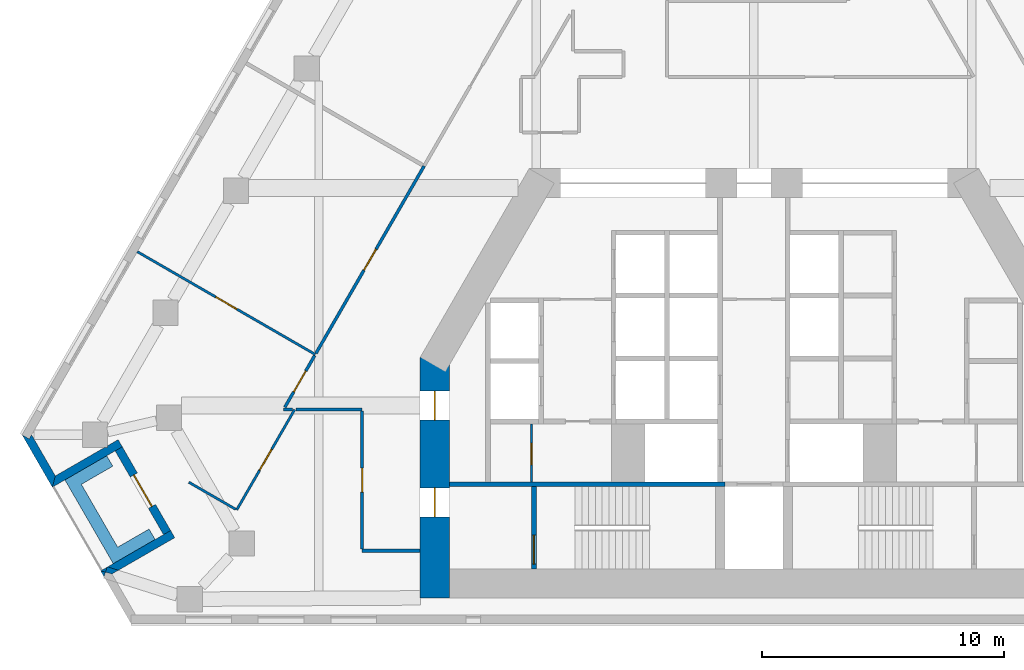
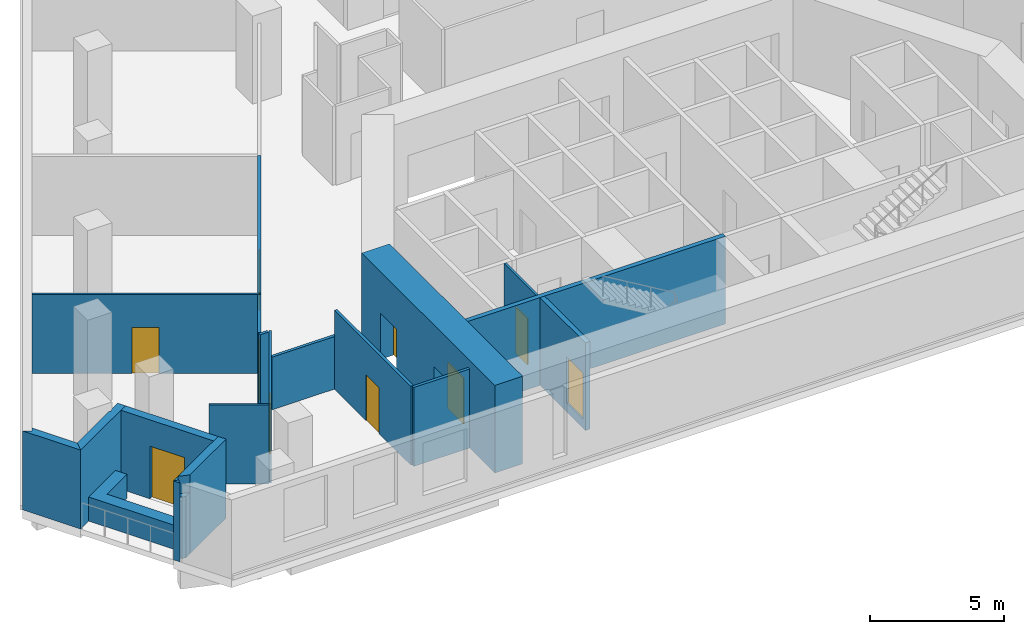
# One storey, part 3 of 10: 21 walls, 10 doors, 10 openings.
"""IFC4 building model written with IfcOpenShell, lengths in metres."""

import ifcopenshell
import ifcopenshell.guid

model = None  # the IFC model being written
_history = None  # IfcOwnerHistory: only IFC2X3 demands one
_inside = {}  # id of a spatial element -> (the spatial element, [elements in it])
_under = {}  # id of a project, library or spatial element -> (it, [spatial elements below it])
_declared = {}  # id of a project -> (the project, [libraries it declares])
_typed = {}  # id of a type object -> (the type object, [elements of that type])
_made_of = {}  # id of a material, layer set ... -> (it, [elements and type objects made of it])


def new_model(schema):
    """Start an empty IFC model of exactly this schema.

    Asked for "IFC4X3", IfcOpenShell would pick the latest addendum, in which some entities
    have other attributes; the version numbers below select the first issue.
    IFC2X3 requires an IfcOwnerHistory on every rooted entity: one is made here for all.
    """
    global model, _history
    if schema == "IFC4X3":
        model = ifcopenshell.file(schema_version=(4, 3, 0, 0))
    else:
        model = ifcopenshell.file(schema=schema)
    _inside.clear()
    _under.clear()
    _declared.clear()
    _typed.clear()
    _made_of.clear()
    _history = None
    if model.schema == "IFC2X3":
        org = make("IfcOrganization", Name="unknown")
        user = make(
            "IfcPersonAndOrganization",
            ThePerson=make("IfcPerson", FamilyName="unknown"),
            TheOrganization=org,
        )
        app = make(
            "IfcApplication",
            ApplicationDeveloper=org,
            Version="unknown",
            ApplicationFullName="unknown",
            ApplicationIdentifier="unknown",
        )
        _history = make(
            "IfcOwnerHistory",
            OwningUser=user,
            OwningApplication=app,
            ChangeAction="ADDED",
            CreationDate=0,
        )
    return model


def make(cls, **values):
    """One entity of the class cls with the attributes given. An attribute that is None is left unset."""
    return model.create_entity(
        cls, **{name: value for name, value in values.items() if value is not None}
    )


def rooted(cls, **values):
    """An entity with a GlobalId (a new one), such as an element, a storey or a relation."""
    return make(cls, GlobalId=ifcopenshell.guid.new(), OwnerHistory=_history, **values)


def si_unit(unit_type, name, prefix=None):
    """IfcSIUnit, for example si_unit("LENGTHUNIT", "METRE", prefix="MILLI")."""
    return make("IfcSIUnit", UnitType=unit_type, Prefix=prefix, Name=name)


def assignment(units):
    """IfcUnitAssignment: the units of a project."""
    return None if units is None else make("IfcUnitAssignment", Units=units)


def point(xyz):
    """IfcCartesianPoint."""
    return None if xyz is None else make("IfcCartesianPoint", Coordinates=xyz)


def direction(xyz):
    """IfcDirection."""
    return None if xyz is None else make("IfcDirection", DirectionRatios=xyz)


def frame(location, z_axis=None, x_axis=None):
    """IfcAxis2Placement3D, a coordinate frame: its origin and axes. An axis left out is left unset."""
    return make(
        "IfcAxis2Placement3D",
        Location=point(location),
        Axis=direction(z_axis),
        RefDirection=direction(x_axis),
    )


def frame_2d(location, x_axis=None):
    """IfcAxis2Placement2D, a coordinate frame in the plane: its origin and x axis."""
    return make(
        "IfcAxis2Placement2D", Location=point(location), RefDirection=direction(x_axis)
    )


def origin():
    """The frame at (0, 0, 0) with its axes left unset."""
    return frame((0.0, 0.0, 0.0))


def place(relative_to, where):
    """IfcLocalPlacement: puts the frame where relative to a parent placement (None: the world)."""
    return make(
        "IfcLocalPlacement", PlacementRelTo=relative_to, RelativePlacement=where
    )


def context(
    kind, dimensions, precision=None, world=None, true_north=None, identifier=None
):
    """IfcGeometricRepresentationContext, for example the 3D "Model" context."""
    return make(
        "IfcGeometricRepresentationContext",
        ContextIdentifier=identifier,
        ContextType=kind,
        CoordinateSpaceDimension=dimensions,
        Precision=precision,
        WorldCoordinateSystem=world,
        TrueNorth=true_north,
    )


def subcontext(parent, identifier, kind, view, scale=None):
    """IfcGeometricRepresentationSubContext, for example "Body" below "Model"."""
    return make(
        "IfcGeometricRepresentationSubContext",
        ContextIdentifier=identifier,
        ContextType=kind,
        ParentContext=parent,
        TargetScale=scale,
        TargetView=view,
    )


def project(units=None, contexts=None):
    """IfcProject with its units and contexts."""
    return rooted(
        "IfcProject",
        Name="project",
        RepresentationContexts=contexts,
        UnitsInContext=assignment(units),
    )


def spatial(cls, under=None, at=None, **own):
    """A site, building, storey or space (cls), placed at a placement, below another one or the project."""
    s = rooted(cls, ObjectPlacement=at, **own)
    if under is not None:
        _under.setdefault(under.id(), (under, []))[1].append(s)
    return s


def polyline(points):
    """IfcPolyline through the points."""
    return make("IfcPolyline", Points=[point(p) for p in points])


def profile(cls, at=None, kind="AREA", **sizes):
    """A parametric profile (cls). Its sizes go by their IFC names, for example OverallWidth=200.0."""
    return make(cls, ProfileType=kind, Position=at, **sizes)


def rectangle(**sizes):
    """IfcRectangleProfileDef."""
    return profile("IfcRectangleProfileDef", **sizes)


def outline(outer, holes=None, kind="AREA"):
    """IfcArbitraryClosedProfileDef: a profile drawn as a closed curve; with holes, ...WithVoids."""
    if holes is None:
        return make("IfcArbitraryClosedProfileDef", ProfileType=kind, OuterCurve=outer)
    return make(
        "IfcArbitraryProfileDefWithVoids",
        ProfileType=kind,
        OuterCurve=outer,
        InnerCurves=holes,
    )


def extrude(swept, where, along, depth):
    """IfcExtrudedAreaSolid: the profile swept, set in the frame where, extruded along a direction by depth."""
    return make(
        "IfcExtrudedAreaSolid",
        SweptArea=swept,
        Position=where,
        ExtrudedDirection=direction(along),
        Depth=depth,
    )


def shape(context_of_items, identifier, shape_type, items):
    """IfcShapeRepresentation: the items that make up one representation, for example the "Body"."""
    return make(
        "IfcShapeRepresentation",
        ContextOfItems=context_of_items,
        RepresentationIdentifier=identifier,
        RepresentationType=shape_type,
        Items=items,
    )


def material(Name=None, Category=None):
    """IfcMaterial."""
    return make("IfcMaterial", Name=Name, Category=Category)


def layer(
    of_material, thickness, ventilated=None, Name=None, Category=None, Priority=None
):
    """IfcMaterialLayer: one layer of a wall or slab, of a material (None: an air gap)."""
    return make(
        "IfcMaterialLayer",
        Material=of_material,
        LayerThickness=thickness,
        IsVentilated=ventilated,
        Name=Name,
        Category=Category,
        Priority=Priority,
    )


def layer_set(layers, Name=None):
    """IfcMaterialLayerSet."""
    return make("IfcMaterialLayerSet", MaterialLayers=layers, LayerSetName=Name)


def made_of(thing, what):
    """Note that an element or type object is made of a material, layer set ...; save() writes the relation."""
    if what is not None:
        _made_of.setdefault(what.id(), (what, []))[1].append(thing)
    return thing


def type_object(cls, material=None, **own):
    """A type object (cls), such as IfcWallType, which elements share."""
    return made_of(rooted(cls, **own), material)


def element(
    cls,
    number,
    at=None,
    inside=None,
    cuts=None,
    type_object=None,
    material=None,
    context=None,
    identifier="Body",
    shape_type=None,
    held_by="IfcProductDefinitionShape",
    body=None,
    shapes=None,
    **own,
):
    """One element of the class cls, such as IfcWall. Its Tag is "e" and its number.

    at: its placement. inside: the storey or other place that contains it. cuts: it is an
    opening in that element (IfcRelVoidsElement). A single representation is given by context,
    identifier, shape_type and body (its items); several are given by shapes. held_by: the class
    of the entity that holds the representations. save() writes the other relations.
    """
    e = rooted(cls, Tag="e%d" % number, ObjectPlacement=at, **own)
    if body is not None:
        shapes = [shape(context, identifier, shape_type, body)]
    if shapes is not None:
        e.Representation = make(held_by, Representations=shapes)
    if inside is not None:
        _inside.setdefault(inside.id(), (inside, []))[1].append(e)
    if cuts is not None:
        rooted(
            "IfcRelVoidsElement", RelatingBuildingElement=cuts, RelatedOpeningElement=e
        )
    if type_object is not None:
        _typed.setdefault(type_object.id(), (type_object, []))[1].append(e)
    return made_of(e, material)


def fill(opening, filler):
    """IfcRelFillsElement: the door or window that sits in an opening."""
    return rooted(
        "IfcRelFillsElement",
        RelatingOpeningElement=opening,
        RelatedBuildingElement=filler,
    )


def aggregate(whole, parts):
    """IfcRelAggregates: a whole, such as a stair, and the parts it consists of."""
    return rooted("IfcRelAggregates", RelatingObject=whole, RelatedObjects=parts)


def save(model, path):
    """Write the relations noted so far, then the file.

    IfcRelAggregates (storeys below a building ...), IfcRelContainedInSpatialStructure (elements
    in a storey), IfcRelDefinesByType, IfcRelAssociatesMaterial and IfcRelDeclares: one each for
    every whole, place, type object, material and project.
    """
    for whole, parts in _under.values():
        aggregate(whole, parts)
    for where, things in _inside.values():
        rooted(
            "IfcRelContainedInSpatialStructure",
            RelatedElements=things,
            RelatingStructure=where,
        )
    for kind, things in _typed.values():
        rooted("IfcRelDefinesByType", RelatedObjects=things, RelatingType=kind)
    for what, things in _made_of.values():
        rooted("IfcRelAssociatesMaterial", RelatedObjects=things, RelatingMaterial=what)
    for by, libraries in _declared.values():
        rooted("IfcRelDeclares", RelatingContext=by, RelatedDefinitions=libraries)
    model.write(path)


model = new_model("IFC4")

# Units and contexts
model_context = context("Model", 3, precision=1e-05, world=origin(), true_north=direction((0.0, 1.0)))
body_context = subcontext(model_context, "Body", "Model", "MODEL_VIEW")
ifc_project = project(units=[si_unit("LENGTHUNIT", "METRE"), si_unit("AREAUNIT", "SQUARE_METRE"), si_unit("VOLUMEUNIT", "CUBIC_METRE"), si_unit("PLANEANGLEUNIT", "RADIAN"), si_unit("MASSUNIT", "GRAM", prefix="KILO")], contexts=[model_context])

# Site, building, storey
site_placement = place(None, origin())
site = spatial("IfcSite", under=ifc_project, at=site_placement, CompositionType="ELEMENT")
building_placement = place(site_placement, origin())
building = spatial("IfcBuilding", under=site, at=building_placement, Name="Fogline Exchange Tower", CompositionType="ELEMENT")
storey_placement = place(building_placement, frame((0.0, 0.0, 112.10009765625)))
storey = spatial("IfcBuildingStorey", under=building, at=storey_placement, Name="L24", CompositionType="ELEMENT", Elevation=112.10009765625)

# Wall, opening, door
ifc_material_1 = material(Name="Blockwork partition", Category="masonry")
ifc_layer_1 = layer(ifc_material_1, 0.10009765625)
ifc_layer_set_1 = layer_set([ifc_layer_1], Name="CW10")
wall_type_1 = type_object("IfcWallType", Name="CW10", PredefinedType="PARTITIONING", material=ifc_layer_set_1)
wall_1_placement = place(storey_placement, frame((-9.199951171875, 5.85009765625, 0.0), z_axis=(0.0, 0.0, 1.0), x_axis=(0.0, 1.0, 0.0)))
wall_1 = element("IfcWall", 1, at=wall_1_placement, inside=storey, type_object=wall_type_1, Name="WC partition", PredefinedType="PARTITIONING", context=body_context, shape_type="SweptSolid", body=[
    extrude(rectangle(XDim=2.39990234375, YDim=0.10009765625, at=frame_2d((1.199951171875, 0.0))), origin(), (0.0, 0.0, 1.0), 3.599853515625),
])
opening_1_placement = place(wall_1_placement, frame((0.699951171875, 0.0, 0.0)))
opening_1 = element("IfcOpeningElement", 2, at=opening_1_placement, cuts=wall_1, Name="Opening T07-C009", PredefinedType="OPENING", context=body_context, shape_type="SweptSolid", body=[
    extrude(rectangle(XDim=0.89990234375, YDim=2.10009765625, at=frame_2d((0.449951171875, 1.050048828125))), frame((0.0, 0.06005859375, 0.0), z_axis=(0.0, -1.0, 0.0), x_axis=(1.0, 0.0, 0.0)), (0.0, 0.0, 1.0), 0.1201171875),
])
ifc_material_2 = material(Name="Steel and timber fire door", Category="steel")
door_type_1 = type_object("IfcDoorType", Name="D-CS1", OperationType="SINGLE_SWING_RIGHT", PredefinedType="DOOR", material=ifc_material_2)
door_1_placement = place(opening_1_placement, origin())
door_1 = element("IfcDoor", 3, at=door_1_placement, inside=storey, type_object=door_type_1, Name="Door to Cleaner's Store", OperationType="SINGLE_SWING_LEFT", OverallHeight=2.10009765625, OverallWidth=0.89990234375, PredefinedType="DOOR", context=body_context, shape_type="SweptSolid", body=[
    extrude(rectangle(XDim=0.89990234375, YDim=2.10009765625, at=frame_2d((0.449951171875, 1.050048828125))), frame((0.0, 0.02490234375, 0.0), z_axis=(0.0, -1.0, 0.0), x_axis=(1.0, 0.0, 0.0)), (0.0, 0.0, 1.0), 0.050048828125),
])
fill(opening_1, door_1)

# Wall
ifc_material_3 = material(Name="Concrete C40", Category="concrete")
ifc_layer_2 = layer(ifc_material_3, 0.199951171875)
ifc_layer_set_2 = layer_set([ifc_layer_2], Name="CW20R")
wall_type_2 = type_object("IfcWallType", Name="CW20R", PredefinedType="SOLIDWALL", material=ifc_layer_set_2)
wall_2_placement = place(storey_placement, frame((-12.60009765625, 5.75, -0.400146484375), z_axis=(0.0, 0.0, 1.0), x_axis=(1.0, 0.0, 0.0)))
element("IfcWall", 4, at=wall_2_placement, inside=storey, type_object=wall_type_2, Name="Stair enclosure wall", PredefinedType="SOLIDWALL", context=body_context, shape_type="SweptSolid", body=[
    extrude(rectangle(XDim=11.400146484375, YDim=0.199951171875, at=frame_2d((5.7001953125, 0.0))), origin(), (0.0, 0.0, 1.0), 4.0),
])

# Wall, opening, door
wall_3_placement = place(storey_placement, frame((-9.10009765625, 2.25, -0.400146484375), z_axis=(0.0, 0.0, 1.0), x_axis=(0.0, 1.0, 0.0)))
wall_3 = element("IfcWall", 5, at=wall_3_placement, inside=storey, type_object=wall_type_2, Name="Stair enclosure wall", PredefinedType="SOLIDWALL", context=body_context, shape_type="SweptSolid", body=[
    extrude(rectangle(XDim=3.39990234375, YDim=0.199951171875, at=frame_2d((1.699951171875, 0.0))), origin(), (0.0, 0.0, 1.0), 4.0),
])
opening_2_placement = place(wall_3_placement, frame((0.199951171875, 0.0, 0.39990234375)))
opening_2 = element("IfcOpeningElement", 6, at=opening_2_placement, cuts=wall_3, Name="Opening T07-C011", PredefinedType="OPENING", context=body_context, shape_type="SweptSolid", body=[
    extrude(rectangle(XDim=1.199951171875, YDim=2.10009765625, at=frame_2d((0.60009765625, 1.050048828125))), frame((0.0, 0.10986328125, 0.0), z_axis=(0.0, -1.0, 0.0), x_axis=(1.0, 0.0, 0.0)), (0.0, 0.0, 1.0), 0.219970703125),
])
door_type_2 = type_object("IfcDoorType", Name="D-ST1", OperationType="SINGLE_SWING_LEFT", PredefinedType="DOOR", material=ifc_material_2)
door_2_placement = place(opening_2_placement, frame((1.199951171875, 0.0, 0.0), z_axis=(0.0, 0.0, 1.0), x_axis=(-1.0, 0.0, 0.0)))
door_2 = element("IfcDoor", 7, at=door_2_placement, inside=storey, type_object=door_type_2, Name="Stair door ST1", OperationType="SINGLE_SWING_RIGHT", OverallHeight=2.10009765625, OverallWidth=1.199951171875, PredefinedType="DOOR", context=body_context, shape_type="SweptSolid", body=[
    extrude(rectangle(XDim=1.199951171875, YDim=2.10009765625, at=frame_2d((0.60009765625, 1.050048828125))), frame((0.0, 0.02490234375, 0.0), z_axis=(0.0, -1.0, 0.0), x_axis=(1.0, 0.0, 0.0)), (0.0, 0.0, 1.0), 0.050048828125),
])
fill(opening_2, door_2)

# Walls
ifc_material_4 = material(Name="Brick masonry", Category="masonry")
ifc_layer_3 = layer(ifc_material_4, 0.340087890625)
ifc_layer_set_3 = layer_set([ifc_layer_3], Name="FW1")
wall_type_3 = type_object("IfcWallType", Name="FW1", PredefinedType="SOLIDWALL", material=ifc_layer_set_3)
wall_4_placement = place(storey_placement, origin())
element("IfcWall", 8, at=wall_4_placement, inside=storey, type_object=wall_type_3, Name="Brick wall L24 SW-c1", PredefinedType="SOLIDWALL", context=body_context, shape_type="SweptSolid", body=[
    extrude(outline(polyline([(-29.015625, 5.6279296875), (-30.2666015625, 7.794921875), (-30.266357421875, 7.79541015625), (-29.971435546875, 7.625), (-29.873046875, 7.79541015625), (-28.890625, 6.09375), (-29.015380859375, 5.6279296875), (-29.015625, 5.6279296875)])), origin(), (0.0, 0.0, 1.0), 3.599853515625),
])
wall_5_placement = place(storey_placement, origin())
element("IfcWall", 9, at=wall_5_placement, inside=storey, type_object=wall_type_3, Name="Brick wall L24 SW-s1", PredefinedType="SOLIDWALL", context=body_context, shape_type="SweptSolid", body=[
    extrude(outline(polyline([(-26.856201171875, 7.269287109375), (-26.72412109375, 7.269287109375), (-26.72412109375, 7.345458984375), (-26.29296875, 7.594482421875), (-26.122314453125, 7.298828125), (-26.417236328125, 7.128662109375), (-29.016357421875, 5.628173828125), (-29.0166015625, 5.62841796875), (-28.8916015625, 6.093994140625), (-26.856201171875, 7.269287109375)])), origin(), (0.0, 0.0, 1.0), 3.599853515625),
])

# Wall, opening, door
wall_6_placement = place(storey_placement, frame((-26.270263671875, 7.214111328125, 0.0), z_axis=(0.0, 0.0, 1.0), x_axis=(0.49999894854, -0.866026010844, 0.0)))
wall_6 = element("IfcWall", 10, at=wall_6_placement, inside=storey, type_object=wall_type_3, Name="Brick wall L24 SW-bk", PredefinedType="SOLIDWALL", context=body_context, shape_type="SweptSolid", body=[
    extrude(rectangle(XDim=4.0, YDim=0.340087890625, at=frame_2d((2.0, 0.0))), origin(), (0.0, 0.0, 1.0), 3.599853515625),
])
opening_3_placement = place(wall_6_placement, frame((1.25, 0.0, 0.0)))
opening_3 = element("IfcOpeningElement", 11, at=opening_3_placement, cuts=wall_6, Name="Opening T07-E021", PredefinedType="OPENING", context=body_context, shape_type="SweptSolid", body=[
    extrude(rectangle(XDim=1.5, YDim=2.39990234375, at=frame_2d((0.75, 1.199951171875))), frame((0.0, 0.18017578125, 0.0), z_axis=(0.0, -1.0, 0.0), x_axis=(1.0, 0.0, 0.0)), (0.0, 0.0, 1.0), 0.360107421875),
])
ifc_material_5 = material(Name="Aluminium and glass", Category="aluminium")
door_type_3 = type_object("IfcDoorType", Name="ED4", OperationType="SINGLE_SWING_LEFT", PredefinedType="DOOR", material=ifc_material_5)
door_3_placement = place(opening_3_placement, frame((1.5, 0.0, 0.0), z_axis=(0.0, 0.0, 1.0), x_axis=(-1.0, 0.0, 0.0)))
door_3 = element("IfcDoor", 12, at=door_3_placement, inside=storey, type_object=door_type_3, Name="Balcony door L24 SW", OperationType="DOUBLE_DOOR_SINGLE_SWING", OverallHeight=2.39990234375, OverallWidth=1.5, PredefinedType="DOOR", context=body_context, shape_type="SweptSolid", body=[
    extrude(rectangle(XDim=1.5, YDim=2.39990234375, at=frame_2d((0.75, 1.199951171875))), frame((0.0, 0.02490234375, 0.0), z_axis=(0.0, -1.0, 0.0), x_axis=(1.0, 0.0, 0.0)), (0.0, 0.0, 1.0), 0.050048828125),
])
fill(opening_3, door_3)

# Walls
wall_7_placement = place(storey_placement, origin())
element("IfcWall", 13, at=wall_7_placement, inside=storey, type_object=wall_type_3, Name="Brick wall L24 SW-s2", PredefinedType="SOLIDWALL", context=body_context, shape_type="SweptSolid", body=[
    extrude(outline(polyline([(-26.727294921875, 2.332275390625), (-26.28564453125, 2.193359375), (-26.551025390625, 2.0400390625), (-26.817626953125, 2.111328125), (-26.752685546875, 2.317626953125), (-26.727294921875, 2.332275390625)])), origin(), (0.0, 0.0, 1.0), 2.7998046875),
])
wall_8_placement = place(storey_placement, origin())
element("IfcWall", 14, at=wall_8_placement, inside=storey, type_object=wall_type_3, Name="Brick wall L24 SW-s2", PredefinedType="SOLIDWALL", context=body_context, shape_type="SweptSolid", body=[
    extrude(outline(polyline([(-26.752685546875, 2.317626953125), (-26.817626953125, 2.111328125), (-27.016845703125, 2.164794921875), (-27.016845703125, 2.1650390625), (-26.752685546875, 2.317626953125)])), origin(), (0.0, 0.0, 1.0), 3.599853515625),
])
wall_9_placement = place(storey_placement, origin())
element("IfcWall", 15, at=wall_9_placement, inside=storey, type_object=wall_type_3, Name="Brick wall L24 SW-s2", PredefinedType="SOLIDWALL", context=body_context, shape_type="SweptSolid", body=[
    extrude(outline(polyline([(-24.41796875, 3.66552734375), (-24.122802734375, 3.8359375), (-23.952392578125, 3.540283203125), (-26.28564453125, 2.193359375), (-26.727294921875, 2.332275390625), (-24.41796875, 3.66552734375)])), origin(), (0.0, 0.0, 1.0), 3.599853515625),
])
wall_10_placement = place(storey_placement, origin())
element("IfcWall", 16, at=wall_10_placement, inside=storey, type_object=wall_type_3, Name="Brick wall L24 SW-c2", PredefinedType="SOLIDWALL", context=body_context, shape_type="SweptSolid", body=[
    extrude(outline(polyline([(-27.0166015625, 2.165771484375), (-27.0166015625, 2.166015625), (-26.817138671875, 2.112548828125), (-26.876708984375, 1.92333984375), (-27.0166015625, 2.165771484375)])), origin(), (0.0, 0.0, 1.0), 3.599853515625),
])
ifc_material_6 = material(Name="Concrete C30", Category="concrete")
ifc_layer_4 = layer(ifc_material_6, 0.199951171875)
ifc_layer_set_4 = layer_set([ifc_layer_4], Name="PL1")
wall_type_4 = type_object("IfcWallType", Name="PL1", PredefinedType="USERDEFINED", material=ifc_layer_set_4)
wall_11_placement = place(storey_placement, origin())
element("IfcWall", 17, at=wall_11_placement, inside=storey, type_object=wall_type_4, Name="PLANTER balcony L24 SW", ObjectType="PLANTER", PredefinedType="USERDEFINED", context=body_context, shape_type="SweptSolid", body=[
    extrude(outline(polyline([(-25.013916015625, 3.898193359375), (-26.31298828125, 3.148193359375), (-27.81298828125, 5.74609375), (-26.513916015625, 6.49609375), (-26.763916015625, 6.92919921875), (-28.49609375, 5.92919921875), (-26.49609375, 2.465087890625), (-26.06298828125, 2.715087890625), (-26.06298828125, 2.715087890625), (-24.763916015625, 3.465087890625), (-25.013916015625, 3.898193359375)])), origin(), (0.0, 0.0, 1.0), 1.099853515625),
])

# Wall, opening, door
ifc_material_7 = material(Name="Plasterboard partition, 2 layers each side on steel studs", Category="steel")
ifc_layer_5 = layer(ifc_material_7, 0.10009765625)
ifc_layer_set_5 = layer_set([ifc_layer_5], Name="PW1")
wall_type_5 = type_object("IfcWallType", Name="PW1", PredefinedType="PARTITIONING", material=ifc_layer_set_5)
wall_12_placement = place(storey_placement, frame((-18.139892578125, 11.11669921875, 0.0), z_axis=(0.0, 0.0, 1.0), x_axis=(-0.866021522889, 0.500006721848, 0.0)))
wall_12 = element("IfcWall", 18, at=wall_12_placement, inside=storey, type_object=wall_type_5, Name="wall-L24-W048", PredefinedType="PARTITIONING", context=body_context, shape_type="SweptSolid", body=[
    extrude(rectangle(XDim=8.5, YDim=0.10009765625, at=frame_2d((4.25, 0.0))), origin(), (0.0, 0.0, 1.0), 3.599853515625),
])
opening_4_placement = place(wall_12_placement, frame((3.75, 0.0, 0.0)))
opening_4 = element("IfcOpeningElement", 19, at=opening_4_placement, cuts=wall_12, Name="Opening T07-D017", PredefinedType="OPENING", context=body_context, shape_type="SweptSolid", body=[
    extrude(rectangle(XDim=1.0, YDim=2.10009765625, at=frame_2d((0.5, 1.050048828125))), frame((0.0, 0.06005859375, 0.0), z_axis=(0.0, -1.0, 0.0), x_axis=(1.0, 0.0, 0.0)), (0.0, 0.0, 1.0), 0.1201171875),
])
ifc_material_8 = material(Name="Timber door leaf with steel frame", Category="steel")
door_type_4 = type_object("IfcDoorType", Name="D1", OperationType="SINGLE_SWING_LEFT", PredefinedType="DOOR", material=ifc_material_8)
door_4_placement = place(opening_4_placement, origin())
door_4 = element("IfcDoor", 20, at=door_4_placement, inside=storey, type_object=door_type_4, Name="door-L24-D017", OperationType="SINGLE_SWING_LEFT", OverallHeight=2.10009765625, OverallWidth=1.0, PredefinedType="DOOR", context=body_context, shape_type="SweptSolid", body=[
    extrude(rectangle(XDim=1.0, YDim=2.10009765625, at=frame_2d((0.5, 1.050048828125))), frame((0.0, 0.02490234375, 0.0), z_axis=(0.0, -1.0, 0.0), x_axis=(1.0, 0.0, 0.0)), (0.0, 0.0, 1.0), 0.050048828125),
])
fill(opening_4, door_4)

wall_13_placement = place(storey_placement, frame((-18.992431640625, 8.840087890625, 0.0), z_axis=(0.0, 0.0, 1.0), x_axis=(-0.499989916489, -0.866031225424, 0.0)))
wall_13 = element("IfcWall", 21, at=wall_13_placement, inside=storey, type_object=wall_type_5, Name="wall-L24-W049", PredefinedType="PARTITIONING", context=body_context, shape_type="SweptSolid", body=[
    extrude(rectangle(XDim=4.79345703125, YDim=0.10009765625, at=frame_2d((2.396728515625, 0.0))), origin(), (0.0, 0.0, 1.0), 3.599853515625),
])
opening_5_placement = place(wall_13_placement, frame((1.896728515625, 0.0, 0.0)))
opening_5 = element("IfcOpeningElement", 22, at=opening_5_placement, cuts=wall_13, Name="Opening T07-D018", PredefinedType="OPENING", context=body_context, shape_type="SweptSolid", body=[
    extrude(rectangle(XDim=1.0, YDim=2.10009765625, at=frame_2d((0.5, 1.050048828125))), frame((0.0, 0.06005859375, 0.0), z_axis=(0.0, -1.0, 0.0), x_axis=(1.0, 0.0, 0.0)), (0.0, 0.0, 1.0), 0.1201171875),
])
door_5_placement = place(opening_5_placement, origin())
door_5 = element("IfcDoor", 23, at=door_5_placement, inside=storey, type_object=door_type_4, Name="door-L24-D018", OperationType="SINGLE_SWING_LEFT", OverallHeight=2.10009765625, OverallWidth=1.0, PredefinedType="DOOR", context=body_context, shape_type="SweptSolid", body=[
    extrude(rectangle(XDim=1.0, YDim=2.10009765625, at=frame_2d((0.5, 1.050048828125))), frame((0.0, 0.02490234375, 0.0), z_axis=(0.0, -1.0, 0.0), x_axis=(1.0, 0.0, 0.0)), (0.0, 0.0, 1.0), 0.050048828125),
])
fill(opening_5, door_5)

# Walls
wall_14_placement = place(storey_placement, frame((-21.432373046875, 4.7138671875, 0.0), z_axis=(0.0, 0.0, 1.0), x_axis=(-0.866020361036, 0.500008734195, 0.0)))
element("IfcWall", 24, at=wall_14_placement, inside=storey, type_object=wall_type_5, Name="wall-L24-W050", PredefinedType="PARTITIONING", context=body_context, shape_type="SweptSolid", body=[
    extrude(rectangle(XDim=2.2392578125, YDim=0.10009765625, at=frame_2d((1.11962890625, 0.0))), origin(), (0.0, 0.0, 1.0), 3.599853515625),
])
ifc_material_9 = material(Name="Plasterboard corridor partition with mineral wool, 2 layers each side")
ifc_layer_6 = layer(ifc_material_9, 0.125)
ifc_layer_set_6 = layer_set([ifc_layer_6], Name="PW2")
wall_type_6 = type_object("IfcWallType", Name="PW2", PredefinedType="PARTITIONING", material=ifc_layer_set_6)
wall_15_placement = place(storey_placement, frame((-13.800048828125, 3.0, 0.0), z_axis=(0.0, 0.0, 1.0), x_axis=(-1.0, 0.0, 0.0)))
element("IfcWall", 25, at=wall_15_placement, inside=storey, type_object=wall_type_6, Name="wall-L24-W008", PredefinedType="PARTITIONING", context=body_context, shape_type="SweptSolid", body=[
    extrude(rectangle(XDim=2.39990234375, YDim=0.125, at=frame_2d((1.199951171875, 0.0))), origin(), (0.0, 0.0, 1.0), 3.599853515625),
])

# Wall, opening, door
wall_16_placement = place(storey_placement, frame((-16.199951171875, 3.0625, 0.0), z_axis=(0.0, 0.0, 1.0), x_axis=(0.0, 1.0, 0.0)))
wall_16 = element("IfcWall", 26, at=wall_16_placement, inside=storey, type_object=wall_type_6, Name="wall-L24-W009", PredefinedType="PARTITIONING", context=body_context, shape_type="SweptSolid", body=[
    extrude(rectangle(XDim=5.715087890625, YDim=0.125, at=frame_2d((2.857421875, 0.0))), origin(), (0.0, 0.0, 1.0), 3.599853515625),
])
opening_6_placement = place(wall_16_placement, frame((2.357421875, 0.0, 0.0)))
opening_6 = element("IfcOpeningElement", 27, at=opening_6_placement, cuts=wall_16, Name="Opening T07-D004", PredefinedType="OPENING", context=body_context, shape_type="SweptSolid", body=[
    extrude(rectangle(XDim=1.0, YDim=2.10009765625, at=frame_2d((0.5, 1.050048828125))), frame((0.0, 0.072509765625, 0.0), z_axis=(0.0, -1.0, 0.0), x_axis=(1.0, 0.0, 0.0)), (0.0, 0.0, 1.0), 0.14501953125),
])
ifc_material_10 = material(Name="Fire-rated timber door leaf with steel frame", Category="steel")
door_type_5 = type_object("IfcDoorType", Name="D3", OperationType="SINGLE_SWING_LEFT", PredefinedType="DOOR", material=ifc_material_10)
door_6_placement = place(opening_6_placement, origin())
door_6 = element("IfcDoor", 28, at=door_6_placement, inside=storey, type_object=door_type_5, Name="door-L24-D004", OperationType="SINGLE_SWING_LEFT", OverallHeight=2.10009765625, OverallWidth=1.0, PredefinedType="DOOR", context=body_context, shape_type="SweptSolid", body=[
    extrude(rectangle(XDim=1.0, YDim=2.10009765625, at=frame_2d((0.5, 1.050048828125))), frame((0.0, 0.02490234375, 0.0), z_axis=(0.0, -1.0, 0.0), x_axis=(1.0, 0.0, 0.0)), (0.0, 0.0, 1.0), 0.050048828125),
])
fill(opening_6, door_6)

wall_17_placement = place(storey_placement, frame((-18.114501953125, 11.160400390625, 0.0), z_axis=(0.0, 0.0, 1.0), x_axis=(0.49998850867, 0.866032038205, 0.0)))
wall_17 = element("IfcWall", 29, at=wall_17_placement, inside=storey, type_object=wall_type_6, Name="wall-L24-W015", PredefinedType="PARTITIONING", context=body_context, shape_type="SweptSolid", body=[
    extrude(rectangle(XDim=8.949462890625, YDim=0.125, at=frame_2d((4.474609375, 0.0))), origin(), (0.0, 0.0, 1.0), 3.599853515625),
])
opening_7_placement = place(wall_17_placement, frame((3.974609375, 0.0, 0.0)))
opening_7 = element("IfcOpeningElement", 30, at=opening_7_placement, cuts=wall_17, Name="Opening T07-D007", PredefinedType="OPENING", context=body_context, shape_type="SweptSolid", body=[
    extrude(rectangle(XDim=1.0, YDim=2.10009765625, at=frame_2d((0.5, 1.050048828125))), frame((0.0, 0.072509765625, 0.0), z_axis=(0.0, -1.0, 0.0), x_axis=(1.0, 0.0, 0.0)), (0.0, 0.0, 1.0), 0.14501953125),
])
door_7_placement = place(opening_7_placement, origin())
door_7 = element("IfcDoor", 31, at=door_7_placement, inside=storey, type_object=door_type_5, Name="door-L24-D007", OperationType="SINGLE_SWING_LEFT", OverallHeight=2.10009765625, OverallWidth=1.0, PredefinedType="DOOR", context=body_context, shape_type="SweptSolid", body=[
    extrude(rectangle(XDim=1.0, YDim=2.10009765625, at=frame_2d((0.5, 1.050048828125))), frame((0.0, 0.02490234375, 0.0), z_axis=(0.0, -1.0, 0.0), x_axis=(1.0, 0.0, 0.0)), (0.0, 0.0, 1.0), 0.050048828125),
])
fill(opening_7, door_7)

# Wall
wall_18_placement = place(storey_placement, frame((-19.086669921875, 8.840087890625, 0.0), z_axis=(0.0, 0.0, 1.0), x_axis=(-1.0, 0.0, 0.0)))
element("IfcWall", 32, at=wall_18_placement, inside=storey, type_object=wall_type_6, Name="wall-L24-W016", PredefinedType="PARTITIONING", context=body_context, shape_type="SweptSolid", body=[
    extrude(rectangle(XDim=0.36767578125, YDim=0.125, at=frame_2d((0.183837890625, 0.0))), origin(), (0.0, 0.0, 1.0), 3.599853515625),
])

# Wall, opening, door
wall_19_placement = place(storey_placement, frame((-19.39990234375, 8.93408203125, 0.0), z_axis=(0.0, 0.0, 1.0), x_axis=(0.499987714637, 0.866032496626, 0.0)))
wall_19 = element("IfcWall", 33, at=wall_19_placement, inside=storey, type_object=wall_type_6, Name="wall-L24-W017", PredefinedType="PARTITIONING", context=body_context, shape_type="SweptSolid", body=[
    extrude(rectangle(XDim=2.4697265625, YDim=0.125, at=frame_2d((1.23486328125, 0.0))), origin(), (0.0, 0.0, 1.0), 3.599853515625),
])
opening_8_placement = place(wall_19_placement, frame((0.73486328125, 0.0, 0.0)))
opening_8 = element("IfcOpeningElement", 34, at=opening_8_placement, cuts=wall_19, Name="Opening T07-D008", PredefinedType="OPENING", context=body_context, shape_type="SweptSolid", body=[
    extrude(rectangle(XDim=1.0, YDim=2.10009765625, at=frame_2d((0.5, 1.050048828125))), frame((0.0, 0.072509765625, 0.0), z_axis=(0.0, -1.0, 0.0), x_axis=(1.0, 0.0, 0.0)), (0.0, 0.0, 1.0), 0.14501953125),
])
door_8_placement = place(opening_8_placement, origin())
door_8 = element("IfcDoor", 35, at=door_8_placement, inside=storey, type_object=door_type_5, Name="door-L24-D008", OperationType="SINGLE_SWING_LEFT", OverallHeight=2.10009765625, OverallWidth=1.0, PredefinedType="DOOR", context=body_context, shape_type="SweptSolid", body=[
    extrude(rectangle(XDim=1.0, YDim=2.10009765625, at=frame_2d((0.5, 1.050048828125))), frame((0.0, 0.02490234375, 0.0), z_axis=(0.0, -1.0, 0.0), x_axis=(1.0, 0.0, 0.0)), (0.0, 0.0, 1.0), 0.050048828125),
])
fill(opening_8, door_8)

# Wall
wall_20_placement = place(storey_placement, frame((-16.199951171875, 8.840087890625, 0.0), z_axis=(0.0, 0.0, 1.0), x_axis=(-1.0, 0.0, 0.0)))
element("IfcWall", 36, at=wall_20_placement, inside=storey, type_object=wall_type_6, Name="wall-L24-W018", PredefinedType="PARTITIONING", context=body_context, shape_type="SweptSolid", body=[
    extrude(rectangle(XDim=2.74853515625, YDim=0.125, at=frame_2d((1.374267578125, 0.0))), origin(), (0.0, 0.0, 1.0), 2.39990234375),
])

# Wall, openings, doors
ifc_material_11 = material(Name="Concrete C60", Category="concrete")
ifc_layer_7 = layer(ifc_material_11, 1.199951171875)
ifc_layer_set_7 = layer_set([ifc_layer_7], Name="SW02")
wall_type_7 = type_object("IfcWallType", Name="SW02", PredefinedType="SHEAR", material=ifc_layer_set_7)
wall_21_placement = place(storey_placement, frame((-13.199951171875, 10.9990234375, 0.0), z_axis=(0.0, 0.0, 1.0), x_axis=(0.0, -1.0, 0.0)))
wall_21 = element("IfcWall", 37, at=wall_21_placement, inside=storey, type_object=wall_type_7, Name="L24-W906", PredefinedType="SHEAR", context=body_context, shape_type="SweptSolid", body=[
    extrude(rectangle(XDim=9.948974609375, YDim=1.199951171875, at=frame_2d((4.974609375, 0.0))), origin(), (0.0, 0.0, 1.0), 4.0),
])
opening_9_placement = place(wall_21_placement, frame((5.39892578125, 0.0, 0.0)))
opening_9 = element("IfcOpeningElement", 38, at=opening_9_placement, cuts=wall_21, Name="Opening T07-C010", PredefinedType="OPENING", context=body_context, shape_type="SweptSolid", body=[
    extrude(rectangle(XDim=1.199951171875, YDim=2.10009765625, at=frame_2d((0.60009765625, 1.050048828125))), frame((0.0, 0.60986328125, 0.0), z_axis=(0.0, -1.0, 0.0), x_axis=(1.0, 0.0, 0.0)), (0.0, 0.0, 1.0), 1.219970703125),
])
opening_10_placement = place(wall_21_placement, frame((1.39892578125, 0.0, 0.0)))
opening_10 = element("IfcOpeningElement", 39, at=opening_10_placement, cuts=wall_21, Name="Opening T07-C012", PredefinedType="OPENING", context=body_context, shape_type="SweptSolid", body=[
    extrude(rectangle(XDim=1.199951171875, YDim=2.10009765625, at=frame_2d((0.60009765625, 1.050048828125))), frame((0.0, 0.60986328125, 0.0), z_axis=(0.0, -1.0, 0.0), x_axis=(1.0, 0.0, 0.0)), (0.0, 0.0, 1.0), 1.219970703125),
])
door_type_6 = type_object("IfcDoorType", Name="D-FR1", OperationType="SINGLE_SWING_RIGHT", PredefinedType="DOOR", material=ifc_material_2)
door_9_placement = place(opening_9_placement, origin())
door_9 = element("IfcDoor", 40, at=door_9_placement, inside=storey, type_object=door_type_6, Name="Front room door ST1", OperationType="SINGLE_SWING_LEFT", OverallHeight=2.10009765625, OverallWidth=1.199951171875, PredefinedType="DOOR", context=body_context, shape_type="SweptSolid", body=[
    extrude(rectangle(XDim=1.199951171875, YDim=2.10009765625, at=frame_2d((0.60009765625, 1.050048828125))), frame((0.0, 0.02490234375, 0.0), z_axis=(0.0, -1.0, 0.0), x_axis=(1.0, 0.0, 0.0)), (0.0, 0.0, 1.0), 0.050048828125),
])
fill(opening_9, door_9)
door_type_7 = type_object("IfcDoorType", Name="D-SV1", OperationType="SINGLE_SWING_LEFT", PredefinedType="DOOR", material=ifc_material_2)
door_10_placement = place(opening_10_placement, origin())
door_10 = element("IfcDoor", 41, at=door_10_placement, inside=storey, type_object=door_type_7, Name="Service door W", OperationType="SINGLE_SWING_LEFT", OverallHeight=2.10009765625, OverallWidth=1.199951171875, PredefinedType="DOOR", context=body_context, shape_type="SweptSolid", body=[
    extrude(rectangle(XDim=1.199951171875, YDim=2.10009765625, at=frame_2d((0.60009765625, 1.050048828125))), frame((0.0, 0.02490234375, 0.0), z_axis=(0.0, -1.0, 0.0), x_axis=(1.0, 0.0, 0.0)), (0.0, 0.0, 1.0), 0.050048828125),
])
fill(opening_10, door_10)

save(model, "model.ifc")
